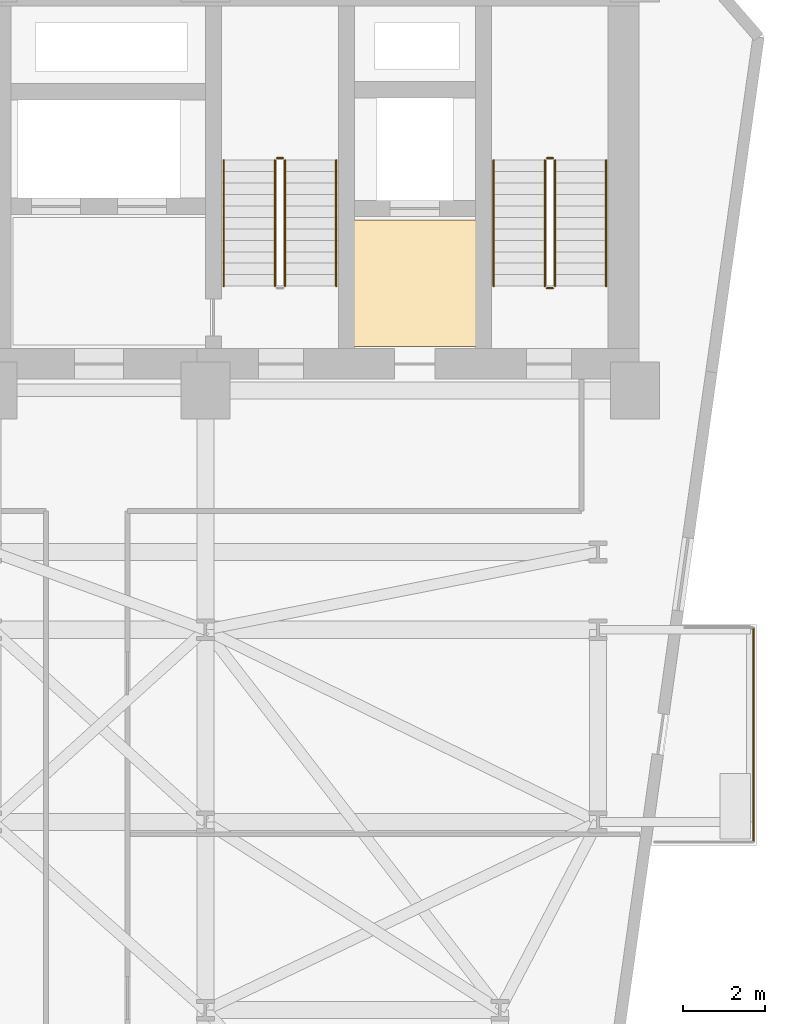
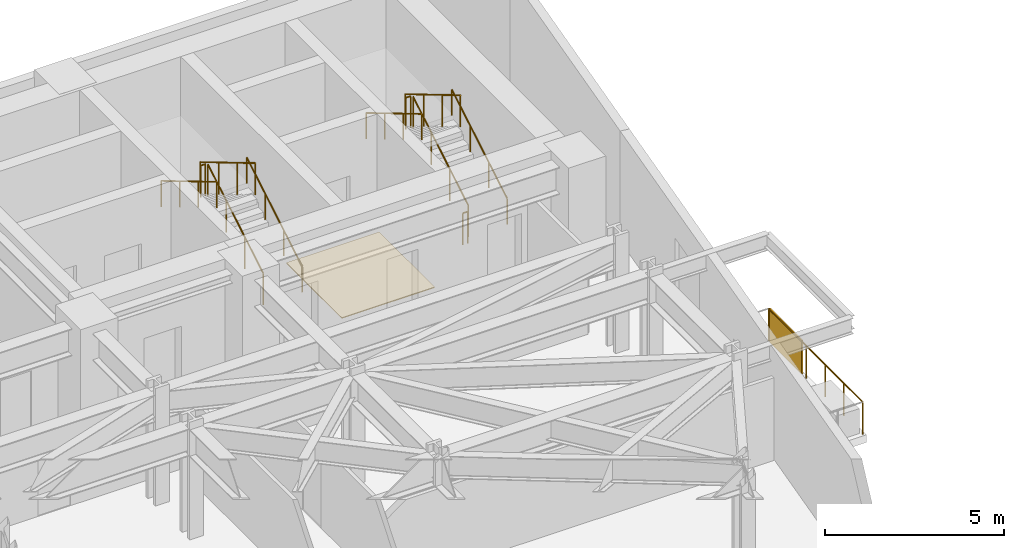
# One storey, part 24 of 24: 12 railings, 1 covering, 1 shading device.
"""IFC4 building model written with IfcOpenShell, lengths in metres."""

from ifc_helpers import new_model, si_unit, direction, frame, origin, origin_2d, place, context, subcontext, project, spatial, polyline, rectangle, circle, outline, extrude, material, layer, layer_set, type_object, element, save


model = new_model("IFC4")

# Units and contexts
model_context = context("Model", 3, precision=1e-05, world=origin(), true_north=direction((0.0, 1.0)))
body_context = subcontext(model_context, "Body", "Model", "MODEL_VIEW")
ifc_project = project(units=[si_unit("LENGTHUNIT", "METRE"), si_unit("AREAUNIT", "SQUARE_METRE"), si_unit("VOLUMEUNIT", "CUBIC_METRE"), si_unit("PLANEANGLEUNIT", "RADIAN"), si_unit("MASSUNIT", "GRAM", prefix="KILO")], contexts=[model_context])

# Site, building, storey
site_placement = place(None, origin())
site = spatial("IfcSite", under=ifc_project, at=site_placement, CompositionType="ELEMENT")
building_placement = place(site_placement, origin())
building = spatial("IfcBuilding", under=site, at=building_placement, Name="Kravanh Interchange Tower", CompositionType="ELEMENT")
storey_placement = place(building_placement, frame((0.0, 0.0, 37.5)))
storey = spatial("IfcBuildingStorey", under=building, at=storey_placement, Name="L08", CompositionType="ELEMENT", Elevation=37.5)

# Covering
ifc_material_1 = material(Name="Cementitious Terrazzo Tile")
ifc_layer_1 = layer(ifc_material_1, 0.030029296875)
ifc_layer_set_1 = layer_set([ifc_layer_1], Name="Honed Terrazzo Lobby Flooring 30mm")
covering_type = type_object("IfcCoveringType", Name="Honed Terrazzo Lobby Flooring 30mm", PredefinedType="FLOORING", material=ifc_layer_set_1)
covering_placement = place(storey_placement, origin())
element("IfcCovering", 1, at=covering_placement, inside=storey, type_object=covering_type, Name="L08 Service Lift Lobby Floor Finish", PredefinedType="FLOORING", context=body_context, shape_type="SweptSolid", body=[
    extrude(outline(polyline([(59.6298828125, 41.52001953125), (62.6201171875, 41.52001953125), (62.6201171875, 38.429931640625), (59.6298828125, 38.429931640625), (59.6298828125, 41.52001953125)])), origin(), (0.0, 0.0, 1.0), 0.030029296875),
])

# Shading device
ifc_material_2 = material(Name="Perforated Anodised Bronze Aluminium", Category="aluminium")
ifc_layer_2 = layer(ifc_material_2, 0.0400390625)
ifc_layer_set_2 = layer_set([ifc_layer_2], Name="Perforated Bronze Balcony Privacy Screen 1150mm")
shading_device_type = type_object("IfcShadingDeviceType", Name="Perforated Bronze Balcony Privacy Screen 1150mm", PredefinedType="USERDEFINED", material=ifc_layer_set_2)
shading_device_placement = place(storey_placement, frame((69.39892578125, 30.580078125, 0.0), z_axis=(0.0, 0.0, 1.0), x_axis=(1.0, 0.0, 0.0)))
element("IfcShadingDevice", 2, at=shading_device_placement, inside=storey, type_object=shading_device_type, Name="L08 E Perforated Bronze BALCONY SCREEN", ObjectType="SCREEN", PredefinedType="USERDEFINED", context=body_context, shape_type="SweptSolid", body=[
    extrude(rectangle(XDim=0.0400390625, YDim=1.800048828125, at=origin_2d()), origin(), (0.0, 0.0, 1.0), 1.14990234375),
])

# Railings
ifc_material_3 = material(Name="Stainless Steel 316", Category="steel")
ifc_layer_3 = layer(ifc_material_3, 0.06005859375)
ifc_layer_set_3 = layer_set([ifc_layer_3], Name="Perimeter Balcony and Terrace Guardrail Stainless 316 1120mm")
railing_type_1 = type_object("IfcRailingType", Name="Perimeter Balcony and Terrace Guardrail Stainless 316 1120mm", PredefinedType="GUARDRAIL", material=ifc_layer_set_3)
railing_1_placement = place(storey_placement, frame((69.39892578125, 31.550048828125, 0.0)))
element("IfcRailing", 3, at=railing_1_placement, inside=storey, type_object=railing_type_1, Name="L08 E Balcony Guardrail 1", PredefinedType="GUARDRAIL", context=body_context, shape_type="SweptSolid", body=[
    extrude(circle(Radius=0.02392578125, at=origin_2d()), frame((0.0, 0.0, 1.09619140625), z_axis=(0.0, -1.0, 0.0), x_axis=(1.0, 0.0, 0.0)), (0.0, 0.0, 1.0), 5.239990234375),
    extrude(circle(Radius=0.02099609375, at=origin_2d()), origin(), (0.0, 0.0, 1.0), 1.072021484375),
    extrude(circle(Radius=0.02099609375, at=origin_2d()), frame((0.0, -1.048095703125, 0.0)), (0.0, 0.0, 1.0), 1.072021484375),
    extrude(circle(Radius=0.02099609375, at=origin_2d()), frame((0.0, -2.095947265625, 0.0)), (0.0, 0.0, 1.0), 1.072021484375),
    extrude(circle(Radius=0.02099609375, at=origin_2d()), frame((0.0, -3.14404296875, 0.0)), (0.0, 0.0, 1.0), 1.072021484375),
    extrude(circle(Radius=0.02099609375, at=origin_2d()), frame((0.0, -4.19189453125, 0.0)), (0.0, 0.0, 1.0), 1.072021484375),
    extrude(circle(Radius=0.02099609375, at=origin_2d()), frame((0.0, -5.239990234375, 0.0)), (0.0, 0.0, 1.0), 1.072021484375),
])
ifc_material_4 = material(Name="Structural Steel S355", Category="steel")
ifc_layer_4 = layer(ifc_material_4, 0.050048828125)
ifc_layer_set_4 = layer_set([ifc_layer_4], Name="Stair Well Guardrail Structural Steel S355 1100mm")
railing_type_2 = type_object("IfcRailingType", Name="Stair Well Guardrail Structural Steel S355 1100mm", PredefinedType="GUARDRAIL", material=ifc_layer_set_4)
railing_2_placement = place(storey_placement, frame((64.550048828125, 39.89990234375, 0.166748046875)))
element("IfcRailing", 4, at=railing_2_placement, inside=storey, type_object=railing_type_2, Name="L08 ST1 stair guard 1", PredefinedType="GUARDRAIL", context=body_context, shape_type="SweptSolid", body=[
    extrude(circle(Radius=0.02392578125, at=origin_2d()), frame((0.0, 0.0, 1.076171875), z_axis=(0.0, 0.859308565015, 0.511457515432), x_axis=(-1.0, 0.0, 0.0)), (0.0, 0.0, 1.0), 3.58447265625),
    extrude(circle(Radius=0.02099609375, at=origin_2d()), origin(), (0.0, 0.0, 1.0), 1.052001953125),
    extrude(circle(Radius=0.02099609375, at=origin_2d()), frame((0.0, 1.026611328125, 0.611083984375)), (0.0, 0.0, 1.0), 1.052001953125),
    extrude(circle(Radius=0.02099609375, at=origin_2d()), frame((0.0, 2.053466796875, 1.22216796875)), (0.0, 0.0, 1.0), 1.052001953125),
    extrude(circle(Radius=0.02099609375, at=origin_2d()), frame((0.0, 3.080078125, 1.833251953125)), (0.0, 0.0, 1.0), 1.052001953125),
])
railing_3_placement = place(storey_placement, frame((64.5, 43.030029296875, 2.0)))
element("IfcRailing", 5, at=railing_3_placement, inside=storey, type_object=railing_type_2, Name="L08 ST1 stair guard 2", PredefinedType="GUARDRAIL", context=body_context, shape_type="SweptSolid", body=[
    extrude(circle(Radius=0.02392578125, at=origin_2d()), frame((0.0, 0.0, 1.076171875), z_axis=(-1.0, 0.0, 0.0), x_axis=(0.0, -1.0, 0.0)), (0.0, 0.0, 1.0), 0.14990234375),
    extrude(circle(Radius=0.02099609375, at=origin_2d()), origin(), (0.0, 0.0, 1.0), 1.052001953125),
    extrude(circle(Radius=0.02099609375, at=origin_2d()), frame((-0.14990234375, 0.0, 0.0)), (0.0, 0.0, 1.0), 1.052001953125),
])
railing_4_placement = place(storey_placement, frame((64.300048828125, 42.97998046875, 2.166748046875)))
element("IfcRailing", 6, at=railing_4_placement, inside=storey, type_object=railing_type_2, Name="L08 ST1 stair guard 3", PredefinedType="GUARDRAIL", context=body_context, shape_type="SweptSolid", body=[
    extrude(circle(Radius=0.02392578125, at=origin_2d()), frame((0.0, 0.0, 1.076171875), z_axis=(0.0, -0.859308565015, 0.511457515432), x_axis=(1.0, 0.0, 0.0)), (0.0, 0.0, 1.0), 3.58447265625),
    extrude(circle(Radius=0.02099609375, at=origin_2d()), origin(), (0.0, 0.0, 1.0), 1.052001953125),
    extrude(circle(Radius=0.02099609375, at=origin_2d()), frame((0.0, -1.026611328125, 0.611083984375)), (0.0, 0.0, 1.0), 1.052001953125),
    extrude(circle(Radius=0.02099609375, at=origin_2d()), frame((0.0, -2.053466796875, 1.22216796875)), (0.0, 0.0, 1.0), 1.052001953125),
    extrude(circle(Radius=0.02099609375, at=origin_2d()), frame((0.0, -3.080078125, 1.833251953125)), (0.0, 0.0, 1.0), 1.052001953125),
])
railing_5_placement = place(storey_placement, frame((64.5, 39.85009765625, 0.0)))
element("IfcRailing", 7, at=railing_5_placement, inside=storey, type_object=railing_type_2, Name="L08 ST1 stair guard 4", PredefinedType="GUARDRAIL", context=body_context, shape_type="SweptSolid", body=[
    extrude(circle(Radius=0.02392578125, at=origin_2d()), frame((0.0, 0.0, 1.076171875), z_axis=(-1.0, 0.0, 0.0), x_axis=(0.0, -1.0, 0.0)), (0.0, 0.0, 1.0), 0.14990234375),
    extrude(circle(Radius=0.02099609375, at=origin_2d()), origin(), (0.0, 0.0, 1.0), 1.052001953125),
    extrude(circle(Radius=0.02099609375, at=origin_2d()), frame((-0.14990234375, 0.0, 0.0)), (0.0, 0.0, 1.0), 1.052001953125),
])
railing_6_placement = place(storey_placement, frame((57.949951171875, 39.89990234375, 0.166748046875)))
element("IfcRailing", 8, at=railing_6_placement, inside=storey, type_object=railing_type_2, Name="L08 ST2 stair guard 1", PredefinedType="GUARDRAIL", context=body_context, shape_type="SweptSolid", body=[
    extrude(circle(Radius=0.02392578125, at=origin_2d()), frame((0.0, 0.0, 1.076171875), z_axis=(0.0, 0.859308565015, 0.511457515432), x_axis=(-1.0, 0.0, 0.0)), (0.0, 0.0, 1.0), 3.58447265625),
    extrude(circle(Radius=0.02099609375, at=origin_2d()), origin(), (0.0, 0.0, 1.0), 1.052001953125),
    extrude(circle(Radius=0.02099609375, at=origin_2d()), frame((0.0, 1.026611328125, 0.611083984375)), (0.0, 0.0, 1.0), 1.052001953125),
    extrude(circle(Radius=0.02099609375, at=origin_2d()), frame((0.0, 2.053466796875, 1.22216796875)), (0.0, 0.0, 1.0), 1.052001953125),
    extrude(circle(Radius=0.02099609375, at=origin_2d()), frame((0.0, 3.080078125, 1.833251953125)), (0.0, 0.0, 1.0), 1.052001953125),
])
railing_7_placement = place(storey_placement, frame((57.89990234375, 43.030029296875, 2.0)))
element("IfcRailing", 9, at=railing_7_placement, inside=storey, type_object=railing_type_2, Name="L08 ST2 stair guard 2", PredefinedType="GUARDRAIL", context=body_context, shape_type="SweptSolid", body=[
    extrude(circle(Radius=0.02392578125, at=origin_2d()), frame((0.0, 0.0, 1.076171875), z_axis=(-1.0, 0.0, 0.0), x_axis=(0.0, -1.0, 0.0)), (0.0, 0.0, 1.0), 0.14990234375),
    extrude(circle(Radius=0.02099609375, at=origin_2d()), origin(), (0.0, 0.0, 1.0), 1.052001953125),
    extrude(circle(Radius=0.02099609375, at=origin_2d()), frame((-0.14990234375, 0.0, 0.0)), (0.0, 0.0, 1.0), 1.052001953125),
])
railing_8_placement = place(storey_placement, frame((57.699951171875, 42.97998046875, 2.166748046875)))
element("IfcRailing", 10, at=railing_8_placement, inside=storey, type_object=railing_type_2, Name="L08 ST2 stair guard 3", PredefinedType="GUARDRAIL", context=body_context, shape_type="SweptSolid", body=[
    extrude(circle(Radius=0.02392578125, at=origin_2d()), frame((0.0, 0.0, 1.076171875), z_axis=(0.0, -0.859308565015, 0.511457515432), x_axis=(1.0, 0.0, 0.0)), (0.0, 0.0, 1.0), 3.58447265625),
    extrude(circle(Radius=0.02099609375, at=origin_2d()), origin(), (0.0, 0.0, 1.0), 1.052001953125),
    extrude(circle(Radius=0.02099609375, at=origin_2d()), frame((0.0, -1.026611328125, 0.611083984375)), (0.0, 0.0, 1.0), 1.052001953125),
    extrude(circle(Radius=0.02099609375, at=origin_2d()), frame((0.0, -2.053466796875, 1.22216796875)), (0.0, 0.0, 1.0), 1.052001953125),
    extrude(circle(Radius=0.02099609375, at=origin_2d()), frame((0.0, -3.080078125, 1.833251953125)), (0.0, 0.0, 1.0), 1.052001953125),
])
ifc_material_5 = material(Name="Stainless Steel 304", Category="steel")
ifc_layer_5 = layer(ifc_material_5, 0.044921875)
ifc_layer_set_5 = layer_set([ifc_layer_5], Name="Tubular Stair Handrail Stainless 304 900mm")
railing_type_3 = type_object("IfcRailingType", Name="Tubular Stair Handrail Stainless 304 900mm", PredefinedType="HANDRAIL", material=ifc_layer_set_5)
railing_9_placement = place(storey_placement, frame((65.800048828125, 39.89990234375, 0.166748046875)))
element("IfcRailing", 11, at=railing_9_placement, inside=storey, type_object=railing_type_3, Name="L08 ST1 stair handrail 1", PredefinedType="HANDRAIL", context=body_context, shape_type="SweptSolid", body=[
    extrude(circle(Radius=0.02392578125, at=origin_2d()), frame((0.0, 0.0, 0.8759765625), z_axis=(0.0, 0.859308565015, 0.511457515432), x_axis=(-1.0, 0.0, 0.0)), (0.0, 0.0, 1.0), 3.58447265625),
    extrude(circle(Radius=0.02099609375, at=origin_2d()), origin(), (0.0, 0.0, 1.0), 0.851806640625),
    extrude(circle(Radius=0.02099609375, at=origin_2d()), frame((0.0, 1.026611328125, 0.611083984375)), (0.0, 0.0, 1.0), 0.851806640625),
    extrude(circle(Radius=0.02099609375, at=origin_2d()), frame((0.0, 2.053466796875, 1.22216796875)), (0.0, 0.0, 1.0), 0.851806640625),
    extrude(circle(Radius=0.02099609375, at=origin_2d()), frame((0.0, 3.080078125, 1.833251953125)), (0.0, 0.0, 1.0), 0.851806640625),
])
railing_10_placement = place(storey_placement, frame((63.050048828125, 42.97998046875, 2.166748046875)))
element("IfcRailing", 12, at=railing_10_placement, inside=storey, type_object=railing_type_3, Name="L08 ST1 stair handrail 2", PredefinedType="HANDRAIL", context=body_context, shape_type="SweptSolid", body=[
    extrude(circle(Radius=0.02392578125, at=origin_2d()), frame((0.0, 0.0, 0.8759765625), z_axis=(0.0, -0.859308565015, 0.511457515432), x_axis=(1.0, 0.0, 0.0)), (0.0, 0.0, 1.0), 3.58447265625),
    extrude(circle(Radius=0.02099609375, at=origin_2d()), origin(), (0.0, 0.0, 1.0), 0.851806640625),
    extrude(circle(Radius=0.02099609375, at=origin_2d()), frame((0.0, -1.026611328125, 0.611083984375)), (0.0, 0.0, 1.0), 0.851806640625),
    extrude(circle(Radius=0.02099609375, at=origin_2d()), frame((0.0, -2.053466796875, 1.22216796875)), (0.0, 0.0, 1.0), 0.851806640625),
    extrude(circle(Radius=0.02099609375, at=origin_2d()), frame((0.0, -3.080078125, 1.833251953125)), (0.0, 0.0, 1.0), 0.851806640625),
])
railing_11_placement = place(storey_placement, frame((59.199951171875, 39.89990234375, 0.166748046875)))
element("IfcRailing", 13, at=railing_11_placement, inside=storey, type_object=railing_type_3, Name="L08 ST2 stair handrail 1", PredefinedType="HANDRAIL", context=body_context, shape_type="SweptSolid", body=[
    extrude(circle(Radius=0.02392578125, at=origin_2d()), frame((0.0, 0.0, 0.8759765625), z_axis=(0.0, 0.859308565015, 0.511457515432), x_axis=(-1.0, 0.0, 0.0)), (0.0, 0.0, 1.0), 3.58447265625),
    extrude(circle(Radius=0.02099609375, at=origin_2d()), origin(), (0.0, 0.0, 1.0), 0.851806640625),
    extrude(circle(Radius=0.02099609375, at=origin_2d()), frame((0.0, 1.026611328125, 0.611083984375)), (0.0, 0.0, 1.0), 0.851806640625),
    extrude(circle(Radius=0.02099609375, at=origin_2d()), frame((0.0, 2.053466796875, 1.22216796875)), (0.0, 0.0, 1.0), 0.851806640625),
    extrude(circle(Radius=0.02099609375, at=origin_2d()), frame((0.0, 3.080078125, 1.833251953125)), (0.0, 0.0, 1.0), 0.851806640625),
])
railing_12_placement = place(storey_placement, frame((56.449951171875, 42.97998046875, 2.166748046875)))
element("IfcRailing", 14, at=railing_12_placement, inside=storey, type_object=railing_type_3, Name="L08 ST2 stair handrail 2", PredefinedType="HANDRAIL", context=body_context, shape_type="SweptSolid", body=[
    extrude(circle(Radius=0.02392578125, at=origin_2d()), frame((0.0, 0.0, 0.8759765625), z_axis=(0.0, -0.859308565015, 0.511457515432), x_axis=(1.0, 0.0, 0.0)), (0.0, 0.0, 1.0), 3.58447265625),
    extrude(circle(Radius=0.02099609375, at=origin_2d()), origin(), (0.0, 0.0, 1.0), 0.851806640625),
    extrude(circle(Radius=0.02099609375, at=origin_2d()), frame((0.0, -1.026611328125, 0.611083984375)), (0.0, 0.0, 1.0), 0.851806640625),
    extrude(circle(Radius=0.02099609375, at=origin_2d()), frame((0.0, -2.053466796875, 1.22216796875)), (0.0, 0.0, 1.0), 0.851806640625),
    extrude(circle(Radius=0.02099609375, at=origin_2d()), frame((0.0, -3.080078125, 1.833251953125)), (0.0, 0.0, 1.0), 0.851806640625),
])

save(model, "model.ifc")
